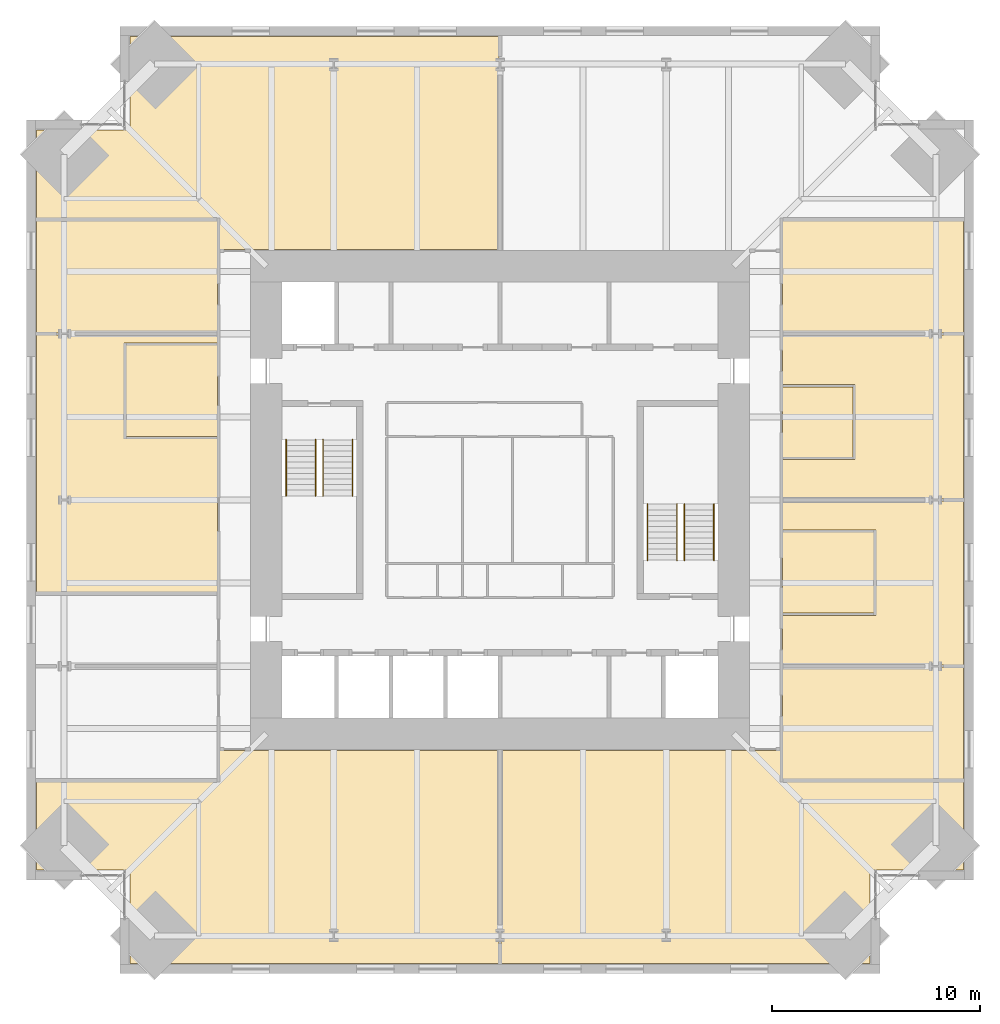
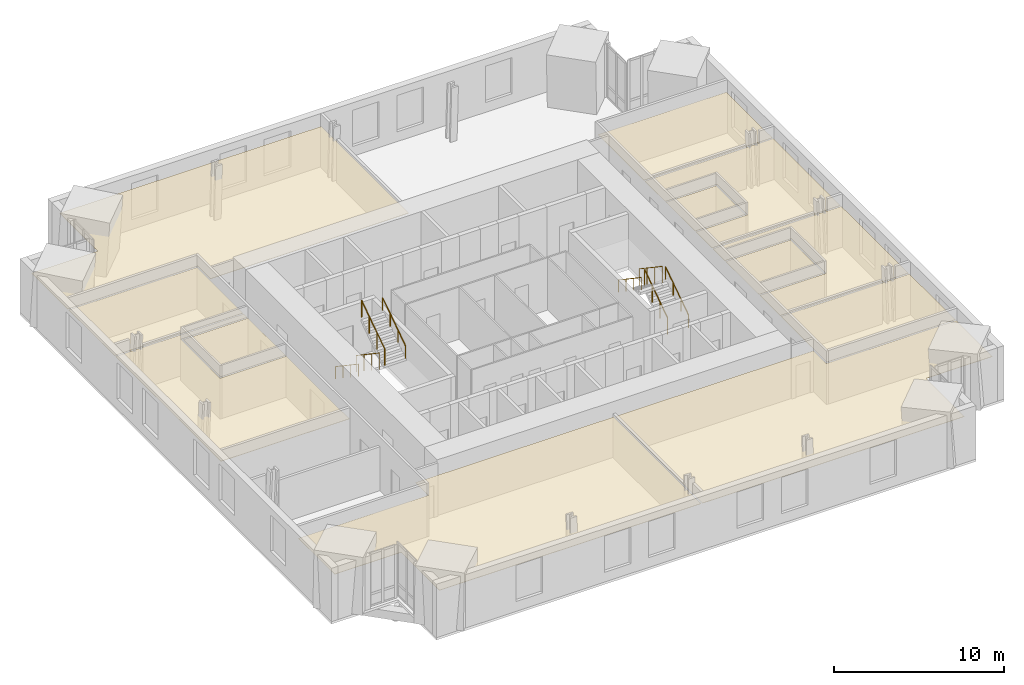
# One storey, part 15 of 15: 12 coverings, 8 railings.
"""IFC4 building model written with IfcOpenShell, lengths in metres."""

from ifc_helpers import new_model, si_unit, direction, frame, origin, origin_2d, place, context, subcontext, project, spatial, polyline, circle, outline, extrude, material, layer, layer_set, type_object, element, save


model = new_model("IFC4")

# Units and contexts
model_context = context("Model", 3, precision=1e-05, world=origin(), true_north=direction((0.0, 1.0)))
body_context = subcontext(model_context, "Body", "Model", "MODEL_VIEW")
ifc_project = project(units=[si_unit("LENGTHUNIT", "METRE"), si_unit("AREAUNIT", "SQUARE_METRE"), si_unit("VOLUMEUNIT", "CUBIC_METRE"), si_unit("PLANEANGLEUNIT", "RADIAN"), si_unit("MASSUNIT", "GRAM", prefix="KILO")], contexts=[model_context])

# Site, building, storey
site_placement = place(None, origin())
site = spatial("IfcSite", under=ifc_project, at=site_placement, CompositionType="ELEMENT")
building_placement = place(site_placement, origin())
building = spatial("IfcBuilding", under=site, at=building_placement, Name="Peilmerk Tower", CompositionType="ELEMENT")
storey_placement = place(building_placement, frame((0.0, 0.0, 245.800048828125)))
storey = spatial("IfcBuildingStorey", under=building, at=storey_placement, Name="L54", CompositionType="ELEMENT", Elevation=245.800048828125)

# Coverings
ifc_material_1 = material(Name="Mineral fibre ceiling tiles", Category="mineral")
ifc_layer = layer(ifc_material_1, 0.02490234375)
ifc_layer_set = layer_set([ifc_layer], Name="Mineral fibre ceiling tiles")
covering_type = type_object("IfcCoveringType", Name="CL1 25 suspended ceiling", PredefinedType="CEILING", material=ifc_layer_set)
covering_1_placement = place(storey_placement, frame((0.0, 0.0, 2.905029296875)))
element("IfcCovering", 1, at=covering_1_placement, inside=storey, type_object=covering_type, Name="Suspended ceiling Client suite", PredefinedType="CEILING", context=body_context, shape_type="SweptSolid", body=[
    extrude(outline(polyline([(-22.300048828125, 17.800048828125), (-22.300048828125, 13.550048828125), (-13.5, 13.550048828125), (-13.5, 12.050048828125), (-0.050048828125, 12.050048828125), (-0.050048828125, 22.300048828125), (-17.800048828125, 22.300048828125), (-17.800048828125, 17.800048828125), (-22.300048828125, 17.800048828125)])), origin(), (0.0, 0.0, 1.0), 0.02490234375),
])
covering_2_placement = place(storey_placement, frame((0.0, 0.0, 2.905029296875)))
element("IfcCovering", 2, at=covering_2_placement, inside=storey, type_object=covering_type, Name="Suspended ceiling Open workspace", PredefinedType="CEILING", context=body_context, shape_type="SweptSolid", body=[
    extrude(outline(polyline([(-17.800048828125, -22.300048828125), (-0.050048828125, -22.300048828125), (-0.050048828125, -12.050048828125), (-13.5, -12.050048828125), (-13.5, -13.550048828125), (-22.300048828125, -13.550048828125), (-22.300048828125, -17.800048828125), (-17.800048828125, -17.800048828125), (-17.800048828125, -22.300048828125)])), origin(), (0.0, 0.0, 1.0), 0.02490234375),
])
covering_3_placement = place(storey_placement, frame((0.0, 0.0, 2.905029296875)))
element("IfcCovering", 3, at=covering_3_placement, inside=storey, type_object=covering_type, Name="Suspended ceiling Open workspace", PredefinedType="CEILING", context=body_context, shape_type="SweptSolid", body=[
    extrude(outline(polyline([(0.050048828125, -22.300048828125), (17.800048828125, -22.300048828125), (17.800048828125, -17.800048828125), (22.300048828125, -17.800048828125), (22.300048828125, -13.550048828125), (13.5, -13.550048828125), (13.5, -12.050048828125), (0.050048828125, -12.050048828125), (0.050048828125, -22.300048828125)])), origin(), (0.0, 0.0, 1.0), 0.02490234375),
])
covering_4_placement = place(storey_placement, frame((0.0, 0.0, 2.905029296875)))
element("IfcCovering", 4, at=covering_4_placement, inside=storey, type_object=covering_type, Name="Suspended ceiling Office", PredefinedType="CEILING", context=body_context, shape_type="SweptSolid", body=[
    extrude(outline(polyline([(22.300048828125, -13.449951171875), (22.300048828125, -8.050048828125), (13.60009765625, -8.050048828125), (13.60009765625, -13.449951171875), (22.300048828125, -13.449951171875)])), origin(), (0.0, 0.0, 1.0), 0.02490234375),
])
covering_5_placement = place(storey_placement, frame((0.0, 0.0, 2.905029296875)))
element("IfcCovering", 5, at=covering_5_placement, inside=storey, type_object=covering_type, Name="Suspended ceiling Office", PredefinedType="CEILING", context=body_context, shape_type="SweptSolid", body=[
    extrude(outline(polyline([(13.60009765625, -7.949951171875), (22.300048828125, -7.949951171875), (22.300048828125, -0.050048828125), (13.60009765625, -0.050048828125), (13.60009765625, -1.449951171875), (18.10009765625, -1.449951171875), (18.10009765625, -5.550048828125), (13.60009765625, -5.550048828125), (13.60009765625, -7.949951171875)])), origin(), (0.0, 0.0, 1.0), 0.02490234375),
])
covering_6_placement = place(storey_placement, frame((0.0, 0.0, 2.905029296875)))
element("IfcCovering", 6, at=covering_6_placement, inside=storey, type_object=covering_type, Name="Suspended ceiling Office", PredefinedType="CEILING", context=body_context, shape_type="SweptSolid", body=[
    extrude(outline(polyline([(13.60009765625, 0.050048828125), (22.300048828125, 0.050048828125), (22.300048828125, 7.949951171875), (13.60009765625, 7.949951171875), (13.60009765625, 5.550048828125), (17.10009765625, 5.550048828125), (17.10009765625, 1.949951171875), (13.60009765625, 1.949951171875), (13.60009765625, 0.050048828125)])), origin(), (0.0, 0.0, 1.0), 0.02490234375),
])
covering_7_placement = place(storey_placement, frame((0.0, 0.0, 2.905029296875)))
element("IfcCovering", 7, at=covering_7_placement, inside=storey, type_object=covering_type, Name="Suspended ceiling Meeting room", PredefinedType="CEILING", context=body_context, shape_type="SweptSolid", body=[
    extrude(outline(polyline([(22.300048828125, 8.050048828125), (22.300048828125, 13.449951171875), (13.60009765625, 13.449951171875), (13.60009765625, 8.050048828125), (22.300048828125, 8.050048828125)])), origin(), (0.0, 0.0, 1.0), 0.02490234375),
])
covering_8_placement = place(storey_placement, frame((0.0, 0.0, 2.905029296875)))
element("IfcCovering", 8, at=covering_8_placement, inside=storey, type_object=covering_type, Name="Suspended ceiling Pantry", PredefinedType="CEILING", context=body_context, shape_type="SweptSolid", body=[
    extrude(outline(polyline([(17.0, 2.050048828125), (17.0, 5.449951171875), (13.60009765625, 5.449951171875), (13.60009765625, 2.050048828125), (17.0, 2.050048828125)])), origin(), (0.0, 0.0, 1.0), 0.02490234375),
])
covering_9_placement = place(storey_placement, frame((0.0, 0.0, 2.905029296875)))
element("IfcCovering", 9, at=covering_9_placement, inside=storey, type_object=covering_type, Name="Suspended ceiling Briefing room", PredefinedType="CEILING", context=body_context, shape_type="SweptSolid", body=[
    extrude(outline(polyline([(18.0, -5.449951171875), (18.0, -1.550048828125), (13.60009765625, -1.550048828125), (13.60009765625, -5.449951171875), (18.0, -5.449951171875)])), origin(), (0.0, 0.0, 1.0), 0.02490234375),
])
covering_10_placement = place(storey_placement, frame((0.0, 0.0, 2.905029296875)))
element("IfcCovering", 10, at=covering_10_placement, inside=storey, type_object=covering_type, Name="Suspended ceiling Reception", PredefinedType="CEILING", context=body_context, shape_type="SweptSolid", body=[
    extrude(outline(polyline([(-13.60009765625, 7.949951171875), (-22.300048828125, 7.949951171875), (-22.300048828125, -4.449951171875), (-13.60009765625, -4.449951171875), (-13.60009765625, 2.949951171875), (-18.10009765625, 2.949951171875), (-18.10009765625, 7.550048828125), (-13.60009765625, 7.550048828125), (-13.60009765625, 7.949951171875)])), origin(), (0.0, 0.0, 1.0), 0.02490234375),
])
covering_11_placement = place(storey_placement, frame((0.0, 0.0, 2.905029296875)))
element("IfcCovering", 11, at=covering_11_placement, inside=storey, type_object=covering_type, Name="Suspended ceiling Office", PredefinedType="CEILING", context=body_context, shape_type="SweptSolid", body=[
    extrude(outline(polyline([(-22.300048828125, 13.449951171875), (-22.300048828125, 8.050048828125), (-13.60009765625, 8.050048828125), (-13.60009765625, 13.449951171875), (-22.300048828125, 13.449951171875)])), origin(), (0.0, 0.0, 1.0), 0.02490234375),
])
covering_12_placement = place(storey_placement, frame((0.0, 0.0, 2.905029296875)))
element("IfcCovering", 12, at=covering_12_placement, inside=storey, type_object=covering_type, Name="Suspended ceiling Briefing room", PredefinedType="CEILING", context=body_context, shape_type="SweptSolid", body=[
    extrude(outline(polyline([(-13.60009765625, 3.050048828125), (-13.60009765625, 7.449951171875), (-18.0, 7.449951171875), (-18.0, 3.050048828125), (-13.60009765625, 3.050048828125)])), origin(), (0.0, 0.0, 1.0), 0.02490234375),
])

# Railings
ifc_material_2 = material(Name="Steel flat bar balustrade", Category="steel")
railing_type_1 = type_object("IfcRailingType", Name="GR1 1200 stair guard", PredefinedType="GUARDRAIL", material=ifc_material_2)
railing_1_placement = place(storey_placement, frame((-8.8798828125, 2.89990234375, 0.181884765625)))
element("IfcRailing", 13, at=railing_1_placement, inside=storey, type_object=railing_type_1, Name="Guard stair 1 L54", PredefinedType="GUARDRAIL", context=body_context, shape_type="SweptSolid", body=[
    extrude(circle(Radius=0.02392578125, at=origin_2d()), frame((0.0, 0.0, 1.17578125), z_axis=(0.0, -0.829468130872, 0.55855404382), x_axis=(1.0, 0.0, 0.0)), (0.0, 0.0, 1.0), 3.255126953125),
    extrude(circle(Radius=0.02099609375, at=origin_2d()), origin(), (0.0, 0.0, 1.0), 1.15185546875),
    extrude(circle(Radius=0.02099609375, at=origin_2d()), frame((0.0, -0.89990234375, 0.60595703125)), (0.0, 0.0, 1.0), 1.15185546875),
    extrude(circle(Radius=0.02099609375, at=origin_2d()), frame((0.0, -1.800048828125, 1.212158203125)), (0.0, 0.0, 1.0), 1.15185546875),
    extrude(circle(Radius=0.02099609375, at=origin_2d()), frame((0.0, -2.699951171875, 1.818115234375)), (0.0, 0.0, 1.0), 1.15185546875),
])
for number, where, name in (
    (14, (-8.52001953125, 0.199951171875, 2.181884765625), "Guard stair 1 L54"),
    (15, (8.8798828125, -2.89990234375, 0.181884765625), "Guard stair 2 L54"),
):
    element("IfcRailing", number, at=place(storey_placement, frame(where)), inside=storey, type_object=railing_type_1, Name=name, PredefinedType="GUARDRAIL", context=body_context, shape_type="SweptSolid", body=[
        extrude(circle(Radius=0.02392578125, at=origin_2d()), frame((0.0, 0.0, 1.17578125), z_axis=(0.0, 0.829468130872, 0.55855404382), x_axis=(-1.0, 0.0, 0.0)), (0.0, 0.0, 1.0), 3.255126953125),
        extrude(circle(Radius=0.02099609375, at=origin_2d()), origin(), (0.0, 0.0, 1.0), 1.15185546875),
        extrude(circle(Radius=0.02099609375, at=origin_2d()), frame((0.0, 0.89990234375, 0.60595703125)), (0.0, 0.0, 1.0), 1.15185546875),
        extrude(circle(Radius=0.02099609375, at=origin_2d()), frame((0.0, 1.800048828125, 1.212158203125)), (0.0, 0.0, 1.0), 1.15185546875),
        extrude(circle(Radius=0.02099609375, at=origin_2d()), frame((0.0, 2.699951171875, 1.818115234375)), (0.0, 0.0, 1.0), 1.15185546875),
    ])
railing_2_placement = place(storey_placement, frame((8.52001953125, -0.199951171875, 2.181884765625)))
element("IfcRailing", 16, at=railing_2_placement, inside=storey, type_object=railing_type_1, Name="Guard stair 2 L54", PredefinedType="GUARDRAIL", context=body_context, shape_type="SweptSolid", body=[
    extrude(circle(Radius=0.02392578125, at=origin_2d()), frame((0.0, 0.0, 1.17578125), z_axis=(0.0, -0.829468130872, 0.55855404382), x_axis=(1.0, 0.0, 0.0)), (0.0, 0.0, 1.0), 3.255126953125),
    extrude(circle(Radius=0.02099609375, at=origin_2d()), origin(), (0.0, 0.0, 1.0), 1.15185546875),
    extrude(circle(Radius=0.02099609375, at=origin_2d()), frame((0.0, -0.89990234375, 0.60595703125)), (0.0, 0.0, 1.0), 1.15185546875),
    extrude(circle(Radius=0.02099609375, at=origin_2d()), frame((0.0, -1.800048828125, 1.212158203125)), (0.0, 0.0, 1.0), 1.15185546875),
    extrude(circle(Radius=0.02099609375, at=origin_2d()), frame((0.0, -2.699951171875, 1.818115234375)), (0.0, 0.0, 1.0), 1.15185546875),
])
ifc_material_3 = material(Name="Stainless steel tube", Category="steel")
railing_type_2 = type_object("IfcRailingType", Name="HR1 900 stair handrail", PredefinedType="HANDRAIL", material=ifc_material_3)
railing_3_placement = place(storey_placement, frame((-10.300048828125, 2.89990234375, 0.181884765625)))
element("IfcRailing", 17, at=railing_3_placement, inside=storey, type_object=railing_type_2, Name="Handrail stair 1 L54", PredefinedType="HANDRAIL", context=body_context, shape_type="SweptSolid", body=[
    extrude(circle(Radius=0.02392578125, at=origin_2d()), frame((0.0, 0.0, 0.8759765625), z_axis=(0.0, -0.829468130872, 0.55855404382), x_axis=(1.0, 0.0, 0.0)), (0.0, 0.0, 1.0), 3.255126953125),
    extrude(circle(Radius=0.02099609375, at=origin_2d()), origin(), (0.0, 0.0, 1.0), 0.851806640625),
    extrude(circle(Radius=0.02099609375, at=origin_2d()), frame((0.0, -0.89990234375, 0.60595703125)), (0.0, 0.0, 1.0), 0.851806640625),
    extrude(circle(Radius=0.02099609375, at=origin_2d()), frame((0.0, -1.800048828125, 1.212158203125)), (0.0, 0.0, 1.0), 0.851806640625),
    extrude(circle(Radius=0.02099609375, at=origin_2d()), frame((0.0, -2.699951171875, 1.818115234375)), (0.0, 0.0, 1.0), 0.851806640625),
])
for number, where, name in (
    (18, (-7.10009765625, 0.199951171875, 2.181884765625), "Handrail stair 1 L54"),
    (19, (10.300048828125, -2.89990234375, 0.181884765625), "Handrail stair 2 L54"),
):
    element("IfcRailing", number, at=place(storey_placement, frame(where)), inside=storey, type_object=railing_type_2, Name=name, PredefinedType="HANDRAIL", context=body_context, shape_type="SweptSolid", body=[
        extrude(circle(Radius=0.02392578125, at=origin_2d()), frame((0.0, 0.0, 0.8759765625), z_axis=(0.0, 0.829468130872, 0.55855404382), x_axis=(-1.0, 0.0, 0.0)), (0.0, 0.0, 1.0), 3.255126953125),
        extrude(circle(Radius=0.02099609375, at=origin_2d()), origin(), (0.0, 0.0, 1.0), 0.851806640625),
        extrude(circle(Radius=0.02099609375, at=origin_2d()), frame((0.0, 0.89990234375, 0.60595703125)), (0.0, 0.0, 1.0), 0.851806640625),
        extrude(circle(Radius=0.02099609375, at=origin_2d()), frame((0.0, 1.800048828125, 1.212158203125)), (0.0, 0.0, 1.0), 0.851806640625),
        extrude(circle(Radius=0.02099609375, at=origin_2d()), frame((0.0, 2.699951171875, 1.818115234375)), (0.0, 0.0, 1.0), 0.851806640625),
    ])
railing_4_placement = place(storey_placement, frame((7.10009765625, -0.199951171875, 2.181884765625)))
element("IfcRailing", 20, at=railing_4_placement, inside=storey, type_object=railing_type_2, Name="Handrail stair 2 L54", PredefinedType="HANDRAIL", context=body_context, shape_type="SweptSolid", body=[
    extrude(circle(Radius=0.02392578125, at=origin_2d()), frame((0.0, 0.0, 0.8759765625), z_axis=(0.0, -0.829468130872, 0.55855404382), x_axis=(1.0, 0.0, 0.0)), (0.0, 0.0, 1.0), 3.255126953125),
    extrude(circle(Radius=0.02099609375, at=origin_2d()), origin(), (0.0, 0.0, 1.0), 0.851806640625),
    extrude(circle(Radius=0.02099609375, at=origin_2d()), frame((0.0, -0.89990234375, 0.60595703125)), (0.0, 0.0, 1.0), 0.851806640625),
    extrude(circle(Radius=0.02099609375, at=origin_2d()), frame((0.0, -1.800048828125, 1.212158203125)), (0.0, 0.0, 1.0), 0.851806640625),
    extrude(circle(Radius=0.02099609375, at=origin_2d()), frame((0.0, -2.699951171875, 1.818115234375)), (0.0, 0.0, 1.0), 0.851806640625),
])

save(model, "model.ifc")
